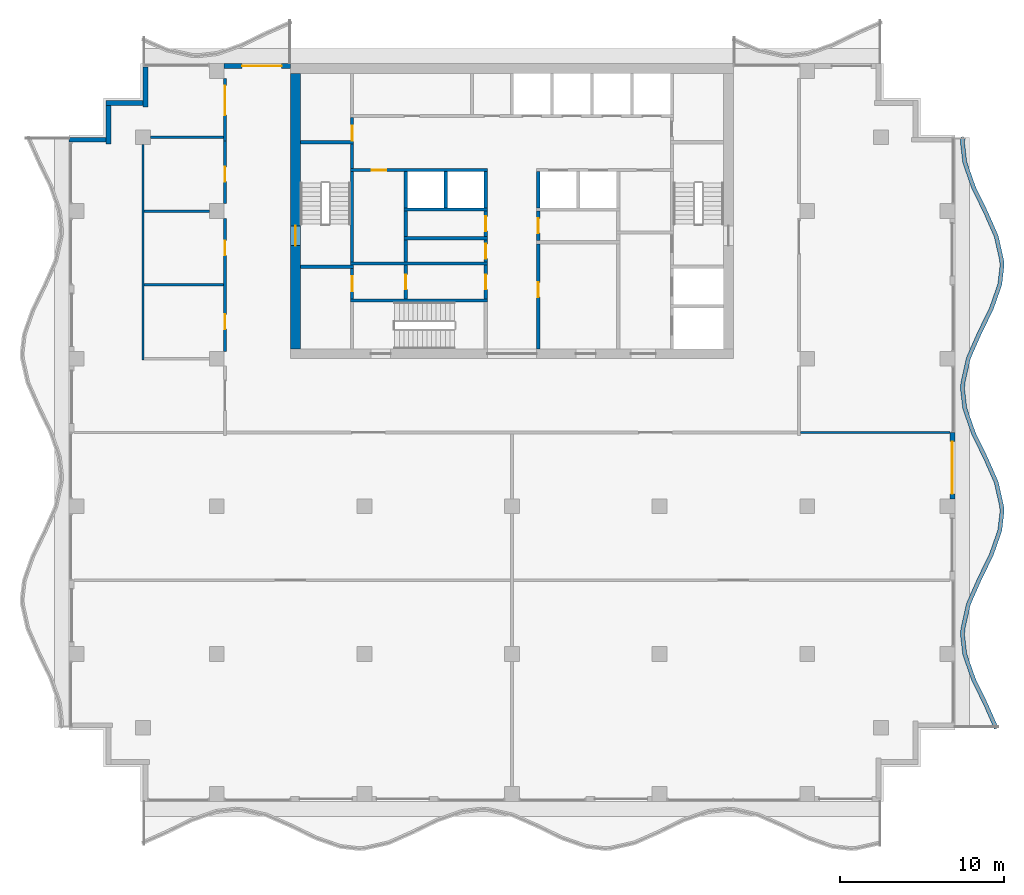
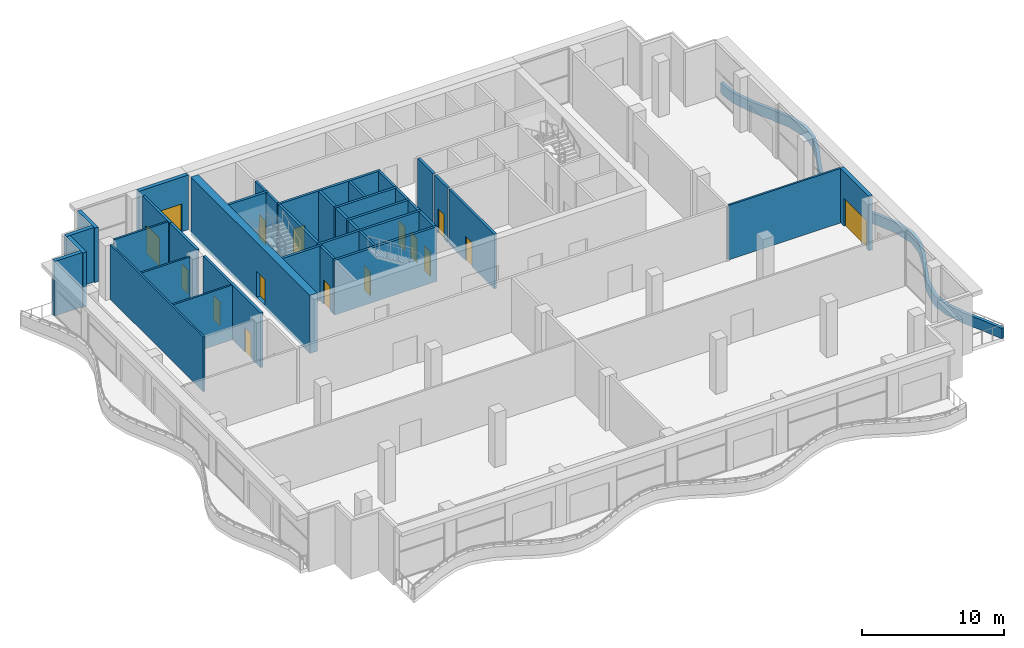
# One storey, part 8 of 14: 39 walls, 16 doors, 16 openings.
"""IFC4 building model written with IfcOpenShell, lengths in metres."""

from ifc_helpers import new_model, si_unit, direction, frame, frame_2d, origin, place, context, subcontext, project, spatial, polyline, rectangle, outline, extrude, material, layer, layer_set, type_object, element, fill, save


model = new_model("IFC4")

# Units and contexts
model_context = context("Model", 3, precision=1e-05, world=origin(), true_north=direction((0.0, 1.0)))
body_context = subcontext(model_context, "Body", "Model", "MODEL_VIEW")
ifc_project = project(units=[si_unit("LENGTHUNIT", "METRE"), si_unit("AREAUNIT", "SQUARE_METRE"), si_unit("VOLUMEUNIT", "CUBIC_METRE"), si_unit("PLANEANGLEUNIT", "RADIAN"), si_unit("MASSUNIT", "GRAM", prefix="KILO")], contexts=[model_context])

# Site, building, storey
site_placement = place(None, origin())
site = spatial("IfcSite", under=ifc_project, at=site_placement, CompositionType="ELEMENT")
building_placement = place(site_placement, origin())
building = spatial("IfcBuilding", under=site, at=building_placement, Name="Orbiselva Terraces", CompositionType="ELEMENT")
storey_placement = place(building_placement, frame((0.0, 0.0, 284.4)))
storey = spatial("IfcBuildingStorey", under=building, at=storey_placement, Name="L72", CompositionType="ELEMENT", Elevation=284.4)

# Wall, opening, door
ifc_material_1 = material(Name="Concrete C80/95", Category="concrete")
ifc_layer_1 = layer(ifc_material_1, 0.6)
ifc_layer_set_1 = layer_set([ifc_layer_1], Name="Concrete C80/95")
wall_type_1 = type_object("IfcWallType", Name="CORE WALL 600", PredefinedType="SHEAR", material=ifc_layer_set_1)
wall_1_placement = place(storey_placement, frame((-13.2, 21.9, -0.3), z_axis=(0.0, 0.0, 1.0), x_axis=(0.0, -1.0, 0.0)))
wall_1 = element("IfcWall", 1, at=wall_1_placement, inside=storey, type_object=wall_type_1, Name="Core wall L72 west", PredefinedType="SHEAR", context=body_context, shape_type="SweptSolid", body=[
    extrude(rectangle(XDim=16.8, YDim=0.6, at=frame_2d((8.4, 0.0))), origin(), (0.0, 0.0, 1.0), 5.0),
])
opening_1_placement = place(wall_1_placement, frame((9.3, 0.0, 0.3)))
opening_1 = element("IfcOpeningElement", 2, at=opening_1_placement, cuts=wall_1, Name="Opening DS1200", PredefinedType="OPENING", context=body_context, shape_type="SweptSolid", body=[
    extrude(rectangle(XDim=1.2, YDim=2.2, at=frame_2d((0.6, 1.1))), frame((0.0, 0.31, 0.0), z_axis=(0.0, -1.0, 0.0), x_axis=(1.0, 0.0, 0.0)), (0.0, 0.0, 1.0), 0.62),
])
ifc_material_2 = material(Name="Steel fire door", Category="steel")
door_type_1 = type_object("IfcDoorType", Name="STAIR DOOR 1200", OperationType="NOTDEFINED", PredefinedType="DOOR", material=ifc_material_2)
door_1_placement = place(opening_1_placement, frame((1.2, 0.0, 0.0), z_axis=(0.0, 0.0, 1.0), x_axis=(-1.0, 0.0, 0.0)))
door_1 = element("IfcDoor", 3, at=door_1_placement, inside=storey, type_object=door_type_1, Name="L72 EXIT STAIR S1 door", OperationType="SINGLE_SWING_RIGHT", OverallHeight=2.2, OverallWidth=1.2, PredefinedType="DOOR", context=body_context, shape_type="SweptSolid", body=[
    extrude(rectangle(XDim=1.2, YDim=2.2, at=frame_2d((0.6, 1.1))), frame((0.0, 0.025, 0.0), z_axis=(0.0, -1.0, 0.0), x_axis=(1.0, 0.0, 0.0)), (0.0, 0.0, 1.0), 0.05),
])
fill(opening_1, door_1)

ifc_material_3 = material(Name="Masonry blockwork", Category="masonry")
ifc_layer_2 = layer(ifc_material_3, 0.2)
ifc_layer_set_2 = layer_set([ifc_layer_2], Name="Masonry blockwork")
wall_type_2 = type_object("IfcWallType", Name="CORE-WALL-PARTITION-200", PredefinedType="PARTITIONING", material=ifc_layer_set_2)
wall_2_placement = place(storey_placement, frame((-9.75, 8.15, 0.0), z_axis=(0.0, 0.0, 1.0), x_axis=(0.0, 1.0, 0.0)))
wall_2 = element("IfcWall", 4, at=wall_2_placement, inside=storey, type_object=wall_type_2, Name="L72 core wall 05", PredefinedType="PARTITIONING", context=body_context, shape_type="SweptSolid", body=[
    extrude(rectangle(XDim=1.85, YDim=0.2, at=frame_2d((0.925, 0.0))), origin(), (0.0, 0.0, 1.0), 4.7),
])
opening_2_placement = place(wall_2_placement, frame((0.475, 0.0, 0.0)))
opening_2 = element("IfcOpeningElement", 5, at=opening_2_placement, cuts=wall_2, Name="Opening DR900", PredefinedType="OPENING", context=body_context, shape_type="SweptSolid", body=[
    extrude(rectangle(XDim=0.9, YDim=2.1, at=frame_2d((0.45, 1.05))), frame((0.0, 0.11, 0.0), z_axis=(0.0, -1.0, 0.0), x_axis=(1.0, 0.0, 0.0)), (0.0, 0.0, 1.0), 0.22),
])
door_type_2 = type_object("IfcDoorType", Name="ROOM DOOR 900", OperationType="NOTDEFINED", PredefinedType="DOOR", material=ifc_material_2)
door_2_placement = place(opening_2_placement, origin())
door_2 = element("IfcDoor", 6, at=door_2_placement, inside=storey, type_object=door_type_2, Name="L72 ACCESSIBLE WC door", OperationType="SINGLE_SWING_RIGHT", OverallHeight=2.1, OverallWidth=0.9, PredefinedType="DOOR", context=body_context, shape_type="SweptSolid", body=[
    extrude(rectangle(XDim=0.9, YDim=2.1, at=frame_2d((0.45, 1.05))), frame((0.0, 0.025, 0.0), z_axis=(0.0, -1.0, 0.0), x_axis=(1.0, 0.0, 0.0)), (0.0, 0.0, 1.0), 0.05),
])
fill(opening_2, door_2)

wall_3_placement = place(storey_placement, frame((-9.75, 17.8, 0.0), z_axis=(0.0, 0.0, 1.0), x_axis=(0.0, 1.0, 0.0)))
wall_3 = element("IfcWall", 7, at=wall_3_placement, inside=storey, type_object=wall_type_2, Name="L72 core wall 10", PredefinedType="PARTITIONING", context=body_context, shape_type="SweptSolid", body=[
    extrude(rectangle(XDim=1.4, YDim=0.2, at=frame_2d((0.7, 0.0))), origin(), (0.0, 0.0, 1.0), 4.7),
])
opening_3_placement = place(wall_3_placement, origin())
opening_3 = element("IfcOpeningElement", 8, at=opening_3_placement, cuts=wall_3, Name="Opening DR900", PredefinedType="OPENING", context=body_context, shape_type="SweptSolid", body=[
    extrude(rectangle(XDim=0.9, YDim=2.1, at=frame_2d((0.45, 1.05))), frame((0.0, 0.11, 0.0), z_axis=(0.0, -1.0, 0.0), x_axis=(1.0, 0.0, 0.0)), (0.0, 0.0, 1.0), 0.22),
])
door_3_placement = place(opening_3_placement, origin())
door_3 = element("IfcDoor", 9, at=door_3_placement, inside=storey, type_object=door_type_2, Name="L72 ELECTRICAL RISER ROOM door", OperationType="SINGLE_SWING_LEFT", OverallHeight=2.1, OverallWidth=0.9, PredefinedType="DOOR", context=body_context, shape_type="SweptSolid", body=[
    extrude(rectangle(XDim=0.9, YDim=2.1, at=frame_2d((0.45, 1.05))), frame((0.0, 0.025, 0.0), z_axis=(0.0, -1.0, 0.0), x_axis=(1.0, 0.0, 0.0)), (0.0, 0.0, 1.0), 0.05),
])
fill(opening_3, door_3)

wall_4_placement = place(storey_placement, frame((-6.475, 8.15, 0.0), z_axis=(0.0, 0.0, 1.0), x_axis=(0.0, 1.0, 0.0)))
wall_4 = element("IfcWall", 10, at=wall_4_placement, inside=storey, type_object=wall_type_2, Name="L72 core wall 13", PredefinedType="PARTITIONING", context=body_context, shape_type="SweptSolid", body=[
    extrude(rectangle(XDim=2.05, YDim=0.2, at=frame_2d((1.025, 0.0))), origin(), (0.0, 0.0, 1.0), 4.7),
])
opening_4_placement = place(wall_4_placement, frame((0.575, 0.0, 0.0)))
opening_4 = element("IfcOpeningElement", 11, at=opening_4_placement, cuts=wall_4, Name="Opening DR900", PredefinedType="OPENING", context=body_context, shape_type="SweptSolid", body=[
    extrude(rectangle(XDim=0.9, YDim=2.1, at=frame_2d((0.45, 1.05))), frame((0.0, 0.11, 0.0), z_axis=(0.0, -1.0, 0.0), x_axis=(1.0, 0.0, 0.0)), (0.0, 0.0, 1.0), 0.22),
])
door_4_placement = place(opening_4_placement, origin())
door_4 = element("IfcDoor", 12, at=door_4_placement, inside=storey, type_object=door_type_2, Name="L72 CLEANERS STORE door", OperationType="SINGLE_SWING_RIGHT", OverallHeight=2.1, OverallWidth=0.9, PredefinedType="DOOR", context=body_context, shape_type="SweptSolid", body=[
    extrude(rectangle(XDim=0.9, YDim=2.1, at=frame_2d((0.45, 1.05))), frame((0.0, 0.025, 0.0), z_axis=(0.0, -1.0, 0.0), x_axis=(1.0, 0.0, 0.0)), (0.0, 0.0, 1.0), 0.05),
])
fill(opening_4, door_4)

# Walls
wall_5_placement = place(storey_placement, frame((-6.475, 10.4, 0.0), z_axis=(0.0, 0.0, 1.0), x_axis=(0.0, 1.0, 0.0)))
element("IfcWall", 13, at=wall_5_placement, inside=storey, type_object=wall_type_2, Name="L72 core wall 14", PredefinedType="PARTITIONING", context=body_context, shape_type="SweptSolid", body=[
    extrude(rectangle(XDim=1.35, YDim=0.2, at=frame_2d((0.675, 0.0))), origin(), (0.0, 0.0, 1.0), 4.7),
])
wall_6_placement = place(storey_placement, frame((-6.475, 11.95, 0.0), z_axis=(0.0, 0.0, 1.0), x_axis=(0.0, 1.0, 0.0)))
element("IfcWall", 14, at=wall_6_placement, inside=storey, type_object=wall_type_2, Name="L72 core wall 16", PredefinedType="PARTITIONING", context=body_context, shape_type="SweptSolid", body=[
    extrude(rectangle(XDim=1.55, YDim=0.2, at=frame_2d((0.775, 0.0))), origin(), (0.0, 0.0, 1.0), 4.7),
])

# Wall, opening, door
wall_7_placement = place(storey_placement, frame((-1.6, 8.15, 0.0), z_axis=(0.0, 0.0, 1.0), x_axis=(0.0, 1.0, 0.0)))
wall_7 = element("IfcWall", 15, at=wall_7_placement, inside=storey, type_object=wall_type_2, Name="L72 core wall 22", PredefinedType="PARTITIONING", context=body_context, shape_type="SweptSolid", body=[
    extrude(rectangle(XDim=2.05, YDim=0.2, at=frame_2d((1.025, 0.0))), origin(), (0.0, 0.0, 1.0), 4.7),
])
opening_5_placement = place(wall_7_placement, frame((0.575, 0.0, 0.0)))
opening_5 = element("IfcOpeningElement", 16, at=opening_5_placement, cuts=wall_7, Name="Opening DR900", PredefinedType="OPENING", context=body_context, shape_type="SweptSolid", body=[
    extrude(rectangle(XDim=0.9, YDim=2.1, at=frame_2d((0.45, 1.05))), frame((0.0, 0.11, 0.0), z_axis=(0.0, -1.0, 0.0), x_axis=(1.0, 0.0, 0.0)), (0.0, 0.0, 1.0), 0.22),
])
door_5_placement = place(opening_5_placement, origin())
door_5 = element("IfcDoor", 17, at=door_5_placement, inside=storey, type_object=door_type_2, Name="L72 COMMS ROOM door", OperationType="SINGLE_SWING_RIGHT", OverallHeight=2.1, OverallWidth=0.9, PredefinedType="DOOR", context=body_context, shape_type="SweptSolid", body=[
    extrude(rectangle(XDim=0.9, YDim=2.1, at=frame_2d((0.45, 1.05))), frame((0.0, 0.025, 0.0), z_axis=(0.0, -1.0, 0.0), x_axis=(1.0, 0.0, 0.0)), (0.0, 0.0, 1.0), 0.05),
])
fill(opening_5, door_5)

wall_8_placement = place(storey_placement, frame((-1.6, 10.4, 0.0), z_axis=(0.0, 0.0, 1.0), x_axis=(0.0, 1.0, 0.0)))
wall_8 = element("IfcWall", 18, at=wall_8_placement, inside=storey, type_object=wall_type_2, Name="L72 core wall 23", PredefinedType="PARTITIONING", context=body_context, shape_type="SweptSolid", body=[
    extrude(rectangle(XDim=1.35, YDim=0.2, at=frame_2d((0.675, 0.0))), origin(), (0.0, 0.0, 1.0), 4.7),
])
opening_6_placement = place(wall_8_placement, frame((0.2, 0.0, 0.0)))
opening_6 = element("IfcOpeningElement", 19, at=opening_6_placement, cuts=wall_8, Name="Opening DR900", PredefinedType="OPENING", context=body_context, shape_type="SweptSolid", body=[
    extrude(rectangle(XDim=0.9, YDim=2.1, at=frame_2d((0.45, 1.05))), frame((0.0, 0.11, 0.0), z_axis=(0.0, -1.0, 0.0), x_axis=(1.0, 0.0, 0.0)), (0.0, 0.0, 1.0), 0.22),
])
door_6_placement = place(opening_6_placement, origin())
door_6 = element("IfcDoor", 20, at=door_6_placement, inside=storey, type_object=door_type_2, Name="L72 BUILDING STORE door", OperationType="SINGLE_SWING_LEFT", OverallHeight=2.1, OverallWidth=0.9, PredefinedType="DOOR", context=body_context, shape_type="SweptSolid", body=[
    extrude(rectangle(XDim=0.9, YDim=2.1, at=frame_2d((0.45, 1.05))), frame((0.0, 0.025, 0.0), z_axis=(0.0, -1.0, 0.0), x_axis=(1.0, 0.0, 0.0)), (0.0, 0.0, 1.0), 0.05),
])
fill(opening_6, door_6)

wall_9_placement = place(storey_placement, frame((-1.6, 11.95, 0.0), z_axis=(0.0, 0.0, 1.0), x_axis=(0.0, 1.0, 0.0)))
wall_9 = element("IfcWall", 21, at=wall_9_placement, inside=storey, type_object=wall_type_2, Name="L72 core wall 24", PredefinedType="PARTITIONING", context=body_context, shape_type="SweptSolid", body=[
    extrude(rectangle(XDim=1.55, YDim=0.2, at=frame_2d((0.775, 0.0))), origin(), (0.0, 0.0, 1.0), 4.7),
])
opening_7_placement = place(wall_9_placement, frame((0.325, 0.0, 0.0)))
opening_7 = element("IfcOpeningElement", 22, at=opening_7_placement, cuts=wall_9, Name="Opening DR900", PredefinedType="OPENING", context=body_context, shape_type="SweptSolid", body=[
    extrude(rectangle(XDim=0.9, YDim=2.1, at=frame_2d((0.45, 1.05))), frame((0.0, 0.11, 0.0), z_axis=(0.0, -1.0, 0.0), x_axis=(1.0, 0.0, 0.0)), (0.0, 0.0, 1.0), 0.22),
])
door_7_placement = place(opening_7_placement, origin())
door_7 = element("IfcDoor", 23, at=door_7_placement, inside=storey, type_object=door_type_2, Name="L72 LINEN STORE door", OperationType="SINGLE_SWING_LEFT", OverallHeight=2.1, OverallWidth=0.9, PredefinedType="DOOR", context=body_context, shape_type="SweptSolid", body=[
    extrude(rectangle(XDim=0.9, YDim=2.1, at=frame_2d((0.45, 1.05))), frame((0.0, 0.025, 0.0), z_axis=(0.0, -1.0, 0.0), x_axis=(1.0, 0.0, 0.0)), (0.0, 0.0, 1.0), 0.05),
])
fill(opening_7, door_7)

wall_10_placement = place(storey_placement, frame((1.6, 13.5, 0.0), z_axis=(0.0, 0.0, 1.0), x_axis=(0.0, -1.0, 0.0)))
wall_10 = element("IfcWall", 24, at=wall_10_placement, inside=storey, type_object=wall_type_2, Name="L72 core wall 29", PredefinedType="PARTITIONING", context=body_context, shape_type="SweptSolid", body=[
    extrude(rectangle(XDim=1.8, YDim=0.2, at=frame_2d((0.9, 0.0))), origin(), (0.0, 0.0, 1.0), 4.7),
])
opening_8_placement = place(wall_10_placement, frame((0.45, 0.0, 0.0)))
opening_8 = element("IfcOpeningElement", 25, at=opening_8_placement, cuts=wall_10, Name="Opening DR900", PredefinedType="OPENING", context=body_context, shape_type="SweptSolid", body=[
    extrude(rectangle(XDim=0.9, YDim=2.1, at=frame_2d((0.45, 1.05))), frame((0.0, 0.11, 0.0), z_axis=(0.0, -1.0, 0.0), x_axis=(1.0, 0.0, 0.0)), (0.0, 0.0, 1.0), 0.22),
])
door_8_placement = place(opening_8_placement, origin())
door_8 = element("IfcDoor", 26, at=door_8_placement, inside=storey, type_object=door_type_2, Name="L72 IT ROOM door", OperationType="SINGLE_SWING_LEFT", OverallHeight=2.1, OverallWidth=0.9, PredefinedType="DOOR", context=body_context, shape_type="SweptSolid", body=[
    extrude(rectangle(XDim=0.9, YDim=2.1, at=frame_2d((0.45, 1.05))), frame((0.0, 0.025, 0.0), z_axis=(0.0, -1.0, 0.0), x_axis=(1.0, 0.0, 0.0)), (0.0, 0.0, 1.0), 0.05),
])
fill(opening_8, door_8)

# Walls
ifc_material_4 = material(Name="Concrete C40/50", Category="concrete")
ifc_layer_3 = layer(ifc_material_4, 0.2)
ifc_layer_set_3 = layer_set([ifc_layer_3], Name="Concrete C40/50")
wall_type_3 = type_object("IfcWallType", Name="CORE-WALL-SHAFT-200", PredefinedType="PARTITIONING", material=ifc_layer_set_3)
for number, where, z_axis, x_axis, name in (
    (27, (-6.475, 13.7, 0.0), (0.0, 0.0, 1.0), (0.0, 1.0, 0.0), "L72 core wall 18"),
    (28, (-4.0375, 13.7, 0.0), (0.0, 0.0, 1.0), (0.0, 1.0, 0.0), "L72 core wall 19"),
    (29, (-1.6, 13.7, 0.0), (0.0, 0.0, 1.0), (0.0, 1.0, 0.0), "L72 core wall 25"),
    (30, (1.6, 13.7, 0.0), (0.0, 0.0, 1.0), (0.0, 1.0, 0.0), "L72 core wall 31"),
):
    element("IfcWall", number, at=place(storey_placement, frame(where, z_axis=z_axis, x_axis=x_axis)), inside=storey, type_object=wall_type_3, Name=name, PredefinedType="PARTITIONING", context=body_context, shape_type="SweptSolid", body=[
        extrude(rectangle(XDim=2.2, YDim=0.2, at=frame_2d((1.1, 0.0))), origin(), (0.0, 0.0, 1.0), 4.7),
    ])
ifc_material_5 = material(Name="Concrete C60/75", Category="concrete")
ifc_layer_4 = layer(ifc_material_5, 0.2)
ifc_layer_set_4 = layer_set([ifc_layer_4], Name="Concrete C60/75")
wall_type_4 = type_object("IfcWallType", Name="CORE-WALL-SHEAR-200", PredefinedType="SHEAR", material=ifc_layer_set_4)
for number, where, z_axis, x_axis, name in (
    (31, (-12.9, 10.1, 0.0), (0.0, 0.0, 1.0), (1.0, 0.0, 0.0), "L72 core wall 01"),
    (32, (-12.9, 17.7, 0.0), (0.0, 0.0, 1.0), (1.0, 0.0, 0.0), "L72 core wall 02"),
):
    element("IfcWall", number, at=place(storey_placement, frame(where, z_axis=z_axis, x_axis=x_axis)), inside=storey, type_object=wall_type_4, Name=name, PredefinedType="SHEAR", context=body_context, shape_type="SweptSolid", body=[
        extrude(rectangle(XDim=3.25, YDim=0.2, at=frame_2d((1.625, 0.0))), origin(), (0.0, 0.0, 1.0), 4.7),
    ])
for number, where, z_axis, x_axis, name in (
    (33, (-9.85, 8.05, 0.0), (0.0, 0.0, 1.0), (1.0, 0.0, 0.0), "L72 core wall 04"),
    (34, (-9.85, 10.3, 0.0), (0.0, 0.0, 1.0), (1.0, 0.0, 0.0), "L72 core wall 06"),
):
    element("IfcWall", number, at=place(storey_placement, frame(where, z_axis=z_axis, x_axis=x_axis)), inside=storey, type_object=wall_type_4, Name=name, PredefinedType="SHEAR", context=body_context, shape_type="SweptSolid", body=[
        extrude(rectangle(XDim=8.35, YDim=0.2, at=frame_2d((4.175, 0.0))), origin(), (0.0, 0.0, 1.0), 4.7),
    ])
wall_11_placement = place(storey_placement, frame((-9.75, 10.4, 0.0), z_axis=(0.0, 0.0, 1.0), x_axis=(0.0, 1.0, 0.0)))
element("IfcWall", 35, at=wall_11_placement, inside=storey, type_object=wall_type_4, Name="L72 core wall 07", PredefinedType="SHEAR", context=body_context, shape_type="SweptSolid", body=[
    extrude(rectangle(XDim=5.5, YDim=0.2, at=frame_2d((2.75, 0.0))), origin(), (0.0, 0.0, 1.0), 4.7),
])

# Wall, opening, door
wall_12_placement = place(storey_placement, frame((-1.5, 16.0, 0.0), z_axis=(0.0, 0.0, 1.0), x_axis=(-1.0, 0.0, 0.0)))
wall_12 = element("IfcWall", 36, at=wall_12_placement, inside=storey, type_object=wall_type_4, Name="L72 core wall 08", PredefinedType="SHEAR", context=body_context, shape_type="SweptSolid", body=[
    extrude(rectangle(XDim=8.35, YDim=0.2, at=frame_2d((4.175, 0.0))), origin(), (0.0, 0.0, 1.0), 4.7),
])
opening_9_placement = place(wall_12_placement, frame((6.1625, 0.0, 0.0)))
opening_9 = element("IfcOpeningElement", 37, at=opening_9_placement, cuts=wall_12, Name="Opening DR900", PredefinedType="OPENING", context=body_context, shape_type="SweptSolid", body=[
    extrude(rectangle(XDim=0.9, YDim=2.1, at=frame_2d((0.45, 1.05))), frame((0.0, 0.11, 0.0), z_axis=(0.0, -1.0, 0.0), x_axis=(1.0, 0.0, 0.0)), (0.0, 0.0, 1.0), 0.22),
])
door_9_placement = place(opening_9_placement, origin())
door_9 = element("IfcDoor", 38, at=door_9_placement, inside=storey, type_object=door_type_2, Name="L72 GUEST PANTRY door", OperationType="SINGLE_SWING_RIGHT", OverallHeight=2.1, OverallWidth=0.9, PredefinedType="DOOR", context=body_context, shape_type="SweptSolid", body=[
    extrude(rectangle(XDim=0.9, YDim=2.1, at=frame_2d((0.45, 1.05))), frame((0.0, 0.025, 0.0), z_axis=(0.0, -1.0, 0.0), x_axis=(1.0, 0.0, 0.0)), (0.0, 0.0, 1.0), 0.05),
])
fill(opening_9, door_9)

# Walls
wall_13_placement = place(storey_placement, frame((-9.75, 16.1, 0.0), z_axis=(0.0, 0.0, 1.0), x_axis=(0.0, 1.0, 0.0)))
element("IfcWall", 39, at=wall_13_placement, inside=storey, type_object=wall_type_4, Name="L72 core wall 09", PredefinedType="SHEAR", context=body_context, shape_type="SweptSolid", body=[
    extrude(rectangle(XDim=1.5, YDim=0.2, at=frame_2d((0.75, 0.0))), origin(), (0.0, 0.0, 1.0), 4.7),
])
for number, where, z_axis, x_axis, name in (
    (40, (-6.575, 11.85, 0.0), (0.0, 0.0, 1.0), (1.0, 0.0, 0.0), "L72 core wall 15"),
    (41, (-6.575, 13.6, 0.0), (0.0, 0.0, 1.0), (1.0, 0.0, 0.0), "L72 core wall 17"),
):
    element("IfcWall", number, at=place(storey_placement, frame(where, z_axis=z_axis, x_axis=x_axis)), inside=storey, type_object=wall_type_4, Name=name, PredefinedType="SHEAR", context=body_context, shape_type="SweptSolid", body=[
        extrude(rectangle(XDim=5.075, YDim=0.2, at=frame_2d((2.5375, 0.0))), origin(), (0.0, 0.0, 1.0), 4.7),
    ])

# Wall, opening, door
wall_14_placement = place(storey_placement, frame((1.6, 11.5, 0.0), z_axis=(0.0, 0.0, 1.0), x_axis=(0.0, -1.0, 0.0)))
wall_14 = element("IfcWall", 42, at=wall_14_placement, inside=storey, type_object=wall_type_4, Name="L72 core wall 27", PredefinedType="SHEAR", context=body_context, shape_type="SweptSolid", body=[
    extrude(rectangle(XDim=6.4, YDim=0.2, at=frame_2d((3.2, 0.0))), origin(), (0.0, 0.0, 1.0), 4.7),
])
opening_10_placement = place(wall_14_placement, frame((2.35, 0.0, 0.0)))
opening_10 = element("IfcOpeningElement", 43, at=opening_10_placement, cuts=wall_14, Name="Opening DR900", PredefinedType="OPENING", context=body_context, shape_type="SweptSolid", body=[
    extrude(rectangle(XDim=0.9, YDim=2.1, at=frame_2d((0.45, 1.05))), frame((0.0, 0.11, 0.0), z_axis=(0.0, -1.0, 0.0), x_axis=(1.0, 0.0, 0.0)), (0.0, 0.0, 1.0), 0.22),
])
door_10_placement = place(opening_10_placement, origin())
door_10 = element("IfcDoor", 44, at=door_10_placement, inside=storey, type_object=door_type_2, Name="L72 SERVICE ROOM door", OperationType="SINGLE_SWING_LEFT", OverallHeight=2.1, OverallWidth=0.9, PredefinedType="DOOR", context=body_context, shape_type="SweptSolid", body=[
    extrude(rectangle(XDim=0.9, YDim=2.1, at=frame_2d((0.45, 1.05))), frame((0.0, 0.025, 0.0), z_axis=(0.0, -1.0, 0.0), x_axis=(1.0, 0.0, 0.0)), (0.0, 0.0, 1.0), 0.05),
])
fill(opening_10, door_10)

# Wall
ifc_layer_5 = layer(ifc_material_4, 0.25)
ifc_layer_set_5 = layer_set([ifc_layer_5], Name="Concrete C40/50")
wall_type_5 = type_object("IfcWallType", Name="ENV-PLANTER-250x900", PredefinedType="USERDEFINED", material=ifc_layer_set_5)
wall_15_placement = place(storey_placement, origin())
element("IfcWall", 45, at=wall_15_placement, inside=storey, type_object=wall_type_5, Name="Balcony planter L72 E", ObjectType="PLANTER", PredefinedType="USERDEFINED", context=body_context, shape_type="SweptSolid", body=[
    extrude(outline(polyline([(29.648528, -18.0), (28.987721, -16.5), (28.255211, -15.0), (27.730792, -13.5), (27.6, -12.375), (27.614774, -12.0), (27.951472, -10.5), (28.612279, -9.0), (29.344789, -7.5), (29.869208, -6.0), (30.0, -4.875), (29.985226, -4.5), (29.648528, -3.0), (28.987721, -1.5), (28.255211, 0.0), (27.730792, 1.5), (27.6, 2.625), (27.614774, 3.0), (27.951472, 4.5), (28.612279, 6.0), (29.344789, 7.5), (29.869208, 9.0), (30.0, 10.125), (29.985226, 10.5), (29.648528, 12.0), (28.987721, 13.5), (28.255211, 15.0), (27.730792, 16.5), (27.6, 17.625), (27.614774, 18.0), (27.364968, 18.009842), (27.349429, 17.615428), (27.485662, 16.443629), (28.024089, 14.90356), (28.760919, 13.394714), (29.40993, 11.921492), (29.736315, 10.467435), (29.749429, 10.134572), (29.624078, 9.056371), (29.113667, 7.59644), (28.385477, 6.105286), (27.712874, 4.578508), (27.365863, 3.032565), (27.349429, 2.615428), (27.485662, 1.443629), (28.024089, -0.09644), (28.760919, -1.605286), (29.40993, -3.078508), (29.736315, -4.532565), (29.749429, -4.865428), (29.624078, -5.943629), (29.113667, -7.40356), (28.385477, -8.894714), (27.712874, -10.421492), (27.365863, -11.967435), (27.349429, -12.384572), (27.485662, -13.556371), (28.024089, -15.09644), (28.760919, -16.605286), (29.419745, -18.100788), (29.648528, -18.0)])), origin(), (0.0, 0.0, 1.0), 0.9),
])

# Wall, opening, door
ifc_material_6 = material(Name="Terracotta cladding on masonry backing", Category="masonry")
ifc_layer_6 = layer(ifc_material_6, 0.3)
ifc_layer_set_6 = layer_set([ifc_layer_6], Name="Terracotta cladding on masonry backing")
wall_type_6 = type_object("IfcWallType", Name="ENV-WALL-TERRACOTTA-300", PredefinedType="SOLIDWALL", material=ifc_layer_set_6)
wall_16_placement = place(storey_placement, frame((26.85, 0.0, 0.0), z_axis=(0.0, 0.0, 1.0), x_axis=(0.0, -1.0, 0.0)))
wall_16 = element("IfcWall", 46, at=wall_16_placement, inside=storey, type_object=wall_type_6, Name="Facade wall L72 E", PredefinedType="SOLIDWALL", context=body_context, shape_type="SweptSolid", body=[
    extrude(rectangle(XDim=4.05, YDim=0.3, at=frame_2d((2.025, 0.0))), origin(), (0.0, 0.0, 1.0), 4.7),
])
opening_11_placement = place(wall_16_placement, frame((0.55, 0.0, 0.0)))
opening_11 = element("IfcOpeningElement", 47, at=opening_11_placement, cuts=wall_16, Name="Opening SKY-5-E06", PredefinedType="OPENING", context=body_context, shape_type="SweptSolid", body=[
    extrude(rectangle(XDim=3.2, YDim=2.4, at=frame_2d((1.6, 1.2))), frame((0.0, 0.16, 0.0), z_axis=(0.0, -1.0, 0.0), x_axis=(1.0, 0.0, 0.0)), (0.0, 0.0, 1.0), 0.32),
])
ifc_material_7 = material(Name="Clear low-e glazing in aluminium frame", Category="aluminium")
door_type_3 = type_object("IfcDoorType", Name="BALCONY DOOR 3200 X 2400", OperationType="DOUBLE_DOOR_SLIDING", PredefinedType="DOOR", material=ifc_material_7)
door_11_placement = place(opening_11_placement, origin())
door_11 = element("IfcDoor", 48, at=door_11_placement, inside=storey, type_object=door_type_3, Name="SKY-5-E06", OperationType="SINGLE_SWING_LEFT", OverallHeight=2.4, OverallWidth=3.2, PredefinedType="DOOR", context=body_context, shape_type="SweptSolid", body=[
    extrude(rectangle(XDim=3.2, YDim=2.4, at=frame_2d((1.6, 1.2))), frame((0.0, 0.025, 0.0), z_axis=(0.0, -1.0, 0.0), x_axis=(1.0, 0.0, 0.0)), (0.0, 0.0, 1.0), 0.05),
])
fill(opening_11, door_11)

wall_17_placement = place(storey_placement, frame((-17.55, 22.35, 0.0), z_axis=(0.0, 0.0, 1.0), x_axis=(1.0, 0.0, 0.0)))
wall_17 = element("IfcWall", 49, at=wall_17_placement, inside=storey, type_object=wall_type_6, Name="Facade wall L72 NW", PredefinedType="SOLIDWALL", context=body_context, shape_type="SweptSolid", body=[
    extrude(rectangle(XDim=4.05, YDim=0.3, at=frame_2d((2.025, 0.0))), origin(), (0.0, 0.0, 1.0), 4.7),
])
opening_12_placement = place(wall_17_placement, frame((1.1, 0.0, 0.0)))
opening_12 = element("IfcOpeningElement", 50, at=opening_12_placement, cuts=wall_17, Name="Opening SKY-5-E09", PredefinedType="OPENING", context=body_context, shape_type="SweptSolid", body=[
    extrude(rectangle(XDim=2.4, YDim=2.4, at=frame_2d((1.2, 1.2))), frame((0.0, 0.16, 0.0), z_axis=(0.0, -1.0, 0.0), x_axis=(1.0, 0.0, 0.0)), (0.0, 0.0, 1.0), 0.32),
])
door_type_4 = type_object("IfcDoorType", Name="BALCONY DOOR 2400 X 2400", OperationType="DOUBLE_DOOR_SLIDING", PredefinedType="DOOR", material=ifc_material_7)
door_12_placement = place(opening_12_placement, origin())
door_12 = element("IfcDoor", 51, at=door_12_placement, inside=storey, type_object=door_type_4, Name="SKY-5-E09", OperationType="SINGLE_SWING_LEFT", OverallHeight=2.4, OverallWidth=2.4, PredefinedType="DOOR", context=body_context, shape_type="SweptSolid", body=[
    extrude(rectangle(XDim=2.4, YDim=2.4, at=frame_2d((1.2, 1.2))), frame((0.0, 0.025, 0.0), z_axis=(0.0, -1.0, 0.0), x_axis=(1.0, 0.0, 0.0)), (0.0, 0.0, 1.0), 0.05),
])
fill(opening_12, door_12)

# Walls
wall_18_placement = place(storey_placement, frame((-22.35, 19.85, 0.0), z_axis=(0.0, 0.0, 1.0), x_axis=(0.0, 1.0, 0.0)))
element("IfcWall", 52, at=wall_18_placement, inside=storey, type_object=wall_type_6, Name="Facade wall L72 STEP", PredefinedType="SOLIDWALL", context=body_context, shape_type="SweptSolid", body=[
    extrude(rectangle(XDim=2.45, YDim=0.3, at=frame_2d((1.225, 0.0))), origin(), (0.0, 0.0, 1.0), 4.7),
])
wall_19_placement = place(storey_placement, frame((-24.75, 20.1, 0.0), z_axis=(0.0, 0.0, 1.0), x_axis=(1.0, 0.0, 0.0)))
element("IfcWall", 53, at=wall_19_placement, inside=storey, type_object=wall_type_6, Name="Facade wall L72 STEP", PredefinedType="SOLIDWALL", context=body_context, shape_type="SweptSolid", body=[
    extrude(rectangle(XDim=2.25, YDim=0.3, at=frame_2d((1.125, 0.0))), origin(), (0.0, 0.0, 1.0), 4.7),
])
wall_20_placement = place(storey_placement, frame((-24.6, 17.6, 0.0), z_axis=(0.0, 0.0, 1.0), x_axis=(0.0, 1.0, 0.0)))
element("IfcWall", 54, at=wall_20_placement, inside=storey, type_object=wall_type_6, Name="Facade wall L72 STEP", PredefinedType="SOLIDWALL", context=body_context, shape_type="SweptSolid", body=[
    extrude(rectangle(XDim=2.35, YDim=0.3, at=frame_2d((1.175, 0.0))), origin(), (0.0, 0.0, 1.0), 4.7),
])
wall_21_placement = place(storey_placement, frame((-27.0, 17.85, 0.0), z_axis=(0.0, 0.0, 1.0), x_axis=(1.0, 0.0, 0.0)))
element("IfcWall", 55, at=wall_21_placement, inside=storey, type_object=wall_type_6, Name="Facade wall L72 STEP", PredefinedType="SOLIDWALL", context=body_context, shape_type="SweptSolid", body=[
    extrude(rectangle(XDim=2.25, YDim=0.3, at=frame_2d((1.125, 0.0))), origin(), (0.0, 0.0, 1.0), 4.7),
])

# Wall, openings, doors
ifc_material_8 = material(Name="Plasterboard on steel stud partition", Category="steel")
ifc_layer_7 = layer(ifc_material_8, 0.2)
ifc_layer_set_7 = layer_set([ifc_layer_7], Name="Plasterboard on steel stud partition")
wall_type_7 = type_object("IfcWallType", Name="UNIT-ENTRANCE-WALL-200", PredefinedType="PARTITIONING", material=ifc_layer_set_7)
wall_22_placement = place(storey_placement, frame((-17.5, 4.95, 0.0), z_axis=(0.0, 0.0, 1.0), x_axis=(0.0, 1.0, 0.0)))
wall_22 = element("IfcWall", 56, at=wall_22_placement, inside=storey, type_object=wall_type_7, Name="PARTITION L72-012", PredefinedType="PARTITIONING", context=body_context, shape_type="SweptSolid", body=[
    extrude(rectangle(XDim=8.1, YDim=0.2, at=frame_2d((4.05, 0.0))), origin(), (0.0, 0.0, 1.0), 4.7),
])
opening_13_placement = place(wall_22_placement, frame((1.35, 0.0, 0.0)))
opening_13 = element("IfcOpeningElement", 57, at=opening_13_placement, cuts=wall_22, Name="Opening SKY-5-06", PredefinedType="OPENING", context=body_context, shape_type="SweptSolid", body=[
    extrude(rectangle(XDim=0.9, YDim=2.1, at=frame_2d((0.45, 1.05))), frame((0.0, 0.11, 0.0), z_axis=(0.0, -1.0, 0.0), x_axis=(1.0, 0.0, 0.0)), (0.0, 0.0, 1.0), 0.22),
])
opening_14_placement = place(wall_22_placement, frame((5.85, 0.0, 0.0)))
opening_14 = element("IfcOpeningElement", 58, at=opening_14_placement, cuts=wall_22, Name="Opening SKY-5-07", PredefinedType="OPENING", context=body_context, shape_type="SweptSolid", body=[
    extrude(rectangle(XDim=0.9, YDim=2.1, at=frame_2d((0.45, 1.05))), frame((0.0, 0.11, 0.0), z_axis=(0.0, -1.0, 0.0), x_axis=(1.0, 0.0, 0.0)), (0.0, 0.0, 1.0), 0.22),
])
ifc_material_9 = material(Name="Painted timber door leaf", Category="wood")
door_type_5 = type_object("IfcDoorType", Name="BATH DOOR 900", OperationType="NOTDEFINED", PredefinedType="DOOR", material=ifc_material_9)
door_13_placement = place(opening_13_placement, origin())
door_13 = element("IfcDoor", 59, at=door_13_placement, inside=storey, type_object=door_type_5, Name="SKY-5-06", OperationType="SINGLE_SWING_LEFT", OverallHeight=2.1, OverallWidth=0.9, PredefinedType="DOOR", context=body_context, shape_type="SweptSolid", body=[
    extrude(rectangle(XDim=0.9, YDim=2.1, at=frame_2d((0.45, 1.05))), frame((0.0, 0.025, 0.0), z_axis=(0.0, -1.0, 0.0), x_axis=(1.0, 0.0, 0.0)), (0.0, 0.0, 1.0), 0.05),
])
fill(opening_13, door_13)
door_14_placement = place(opening_14_placement, origin())
door_14 = element("IfcDoor", 60, at=door_14_placement, inside=storey, type_object=door_type_5, Name="SKY-5-07", OperationType="SINGLE_SWING_RIGHT", OverallHeight=2.1, OverallWidth=0.9, PredefinedType="DOOR", context=body_context, shape_type="SweptSolid", body=[
    extrude(rectangle(XDim=0.9, YDim=2.1, at=frame_2d((0.45, 1.05))), frame((0.0, 0.025, 0.0), z_axis=(0.0, -1.0, 0.0), x_axis=(1.0, 0.0, 0.0)), (0.0, 0.0, 1.0), 0.05),
])
fill(opening_14, door_14)

# Wall, opening, door
wall_23_placement = place(storey_placement, frame((-17.5, 13.95, 0.0), z_axis=(0.0, 0.0, 1.0), x_axis=(0.0, 1.0, 0.0)))
wall_23 = element("IfcWall", 61, at=wall_23_placement, inside=storey, type_object=wall_type_7, Name="PARTITION L72-013", PredefinedType="PARTITIONING", context=body_context, shape_type="SweptSolid", body=[
    extrude(rectangle(XDim=3.825, YDim=0.2, at=frame_2d((1.9125, 0.0))), origin(), (0.0, 0.0, 1.0), 4.7),
])
opening_15_placement = place(wall_23_placement, frame((1.35, 0.0, 0.0)))
opening_15 = element("IfcOpeningElement", 62, at=opening_15_placement, cuts=wall_23, Name="Opening SKY-5-08", PredefinedType="OPENING", context=body_context, shape_type="SweptSolid", body=[
    extrude(rectangle(XDim=0.9, YDim=2.1, at=frame_2d((0.45, 1.05))), frame((0.0, 0.11, 0.0), z_axis=(0.0, -1.0, 0.0), x_axis=(1.0, 0.0, 0.0)), (0.0, 0.0, 1.0), 0.22),
])
door_15_placement = place(opening_15_placement, origin())
door_15 = element("IfcDoor", 63, at=door_15_placement, inside=storey, type_object=door_type_5, Name="SKY-5-08", OperationType="SINGLE_SWING_LEFT", OverallHeight=2.1, OverallWidth=0.9, PredefinedType="DOOR", context=body_context, shape_type="SweptSolid", body=[
    extrude(rectangle(XDim=0.9, YDim=2.1, at=frame_2d((0.45, 1.05))), frame((0.0, 0.025, 0.0), z_axis=(0.0, -1.0, 0.0), x_axis=(1.0, 0.0, 0.0)), (0.0, 0.0, 1.0), 0.05),
])
fill(opening_15, door_15)

wall_24_placement = place(storey_placement, frame((-17.5, 21.6, 0.0), z_axis=(0.0, 0.0, 1.0), x_axis=(0.0, -1.0, 0.0)))
wall_24 = element("IfcWall", 64, at=wall_24_placement, inside=storey, type_object=wall_type_7, Name="PARTITION L72-014", PredefinedType="PARTITIONING", context=body_context, shape_type="SweptSolid", body=[
    extrude(rectangle(XDim=3.825, YDim=0.2, at=frame_2d((1.9125, 0.0))), origin(), (0.0, 0.0, 1.0), 4.7),
])
opening_16_placement = place(wall_24_placement, frame((0.45, 0.0, 0.0)))
opening_16 = element("IfcOpeningElement", 65, at=opening_16_placement, cuts=wall_24, Name="Opening SKY-5-04", PredefinedType="OPENING", context=body_context, shape_type="SweptSolid", body=[
    extrude(rectangle(XDim=1.8, YDim=2.4, at=frame_2d((0.9, 1.2))), frame((0.0, 0.11, 0.0), z_axis=(0.0, -1.0, 0.0), x_axis=(1.0, 0.0, 0.0)), (0.0, 0.0, 1.0), 0.22),
])
door_type_6 = type_object("IfcDoorType", Name="DOUBLE DOOR 1800", OperationType="NOTDEFINED", PredefinedType="DOOR", material=ifc_material_9)
door_16_placement = place(opening_16_placement, origin())
door_16 = element("IfcDoor", 66, at=door_16_placement, inside=storey, type_object=door_type_6, Name="SKY-5-04", OperationType="DOUBLE_DOOR_SINGLE_SWING", OverallHeight=2.4, OverallWidth=1.8, PredefinedType="DOOR", context=body_context, shape_type="SweptSolid", body=[
    extrude(rectangle(XDim=1.8, YDim=2.4, at=frame_2d((0.9, 1.2))), frame((0.0, 0.025, 0.0), z_axis=(0.0, -1.0, 0.0), x_axis=(1.0, 0.0, 0.0)), (0.0, 0.0, 1.0), 0.05),
])
fill(opening_16, door_16)

# Walls
ifc_layer_8 = layer(ifc_material_8, 0.15)
ifc_layer_set_8 = layer_set([ifc_layer_8], Name="Plasterboard on steel stud partition")
wall_type_8 = type_object("IfcWallType", Name="UNIT-PARTITION-150", PredefinedType="PARTITIONING", material=ifc_layer_set_8)
wall_25_placement = place(storey_placement, frame((17.6, 0.0, 0.0), z_axis=(0.0, 0.0, 1.0), x_axis=(1.0, 0.0, 0.0)))
element("IfcWall", 67, at=wall_25_placement, inside=storey, type_object=wall_type_8, Name="PARTITION L72-005", PredefinedType="PARTITIONING", context=body_context, shape_type="SweptSolid", body=[
    extrude(rectangle(XDim=9.1, YDim=0.15, at=frame_2d((4.55, 0.0))), origin(), (0.0, 0.0, 1.0), 4.7),
])
wall_26_placement = place(storey_placement, frame((-22.425, 9.0, 0.0), z_axis=(0.0, 0.0, 1.0), x_axis=(1.0, 0.0, 0.0)))
element("IfcWall", 68, at=wall_26_placement, inside=storey, type_object=wall_type_8, Name="PARTITION L72-007", PredefinedType="PARTITIONING", context=body_context, shape_type="SweptSolid", body=[
    extrude(rectangle(XDim=4.825, YDim=0.15, at=frame_2d((2.4125, 0.0))), origin(), (0.0, 0.0, 1.0), 4.7),
])
wall_27_placement = place(storey_placement, frame((-22.425, 13.5, 0.0), z_axis=(0.0, 0.0, 1.0), x_axis=(1.0, 0.0, 0.0)))
element("IfcWall", 69, at=wall_27_placement, inside=storey, type_object=wall_type_8, Name="PARTITION L72-008", PredefinedType="PARTITIONING", context=body_context, shape_type="SweptSolid", body=[
    extrude(rectangle(XDim=3.975, YDim=0.15, at=frame_2d((1.9875, 0.0))), origin(), (0.0, 0.0, 1.0), 4.7),
])
wall_28_placement = place(storey_placement, frame((-22.05, 18.0, 0.0), z_axis=(0.0, 0.0, 1.0), x_axis=(1.0, 0.0, 0.0)))
element("IfcWall", 70, at=wall_28_placement, inside=storey, type_object=wall_type_8, Name="PARTITION L72-009", PredefinedType="PARTITIONING", context=body_context, shape_type="SweptSolid", body=[
    extrude(rectangle(XDim=4.45, YDim=0.15, at=frame_2d((2.225, 0.0))), origin(), (0.0, 0.0, 1.0), 4.7),
])
wall_29_placement = place(storey_placement, frame((-22.5, 4.425, 0.0), z_axis=(0.0, 0.0, 1.0), x_axis=(0.0, 1.0, 0.0)))
element("IfcWall", 71, at=wall_29_placement, inside=storey, type_object=wall_type_8, Name="PARTITION L72-010", PredefinedType="PARTITIONING", context=body_context, shape_type="SweptSolid", body=[
    extrude(rectangle(XDim=13.125, YDim=0.15, at=frame_2d((6.5625, 0.0))), origin(), (0.0, 0.0, 1.0), 4.7),
])

save(model, "model.ifc")
